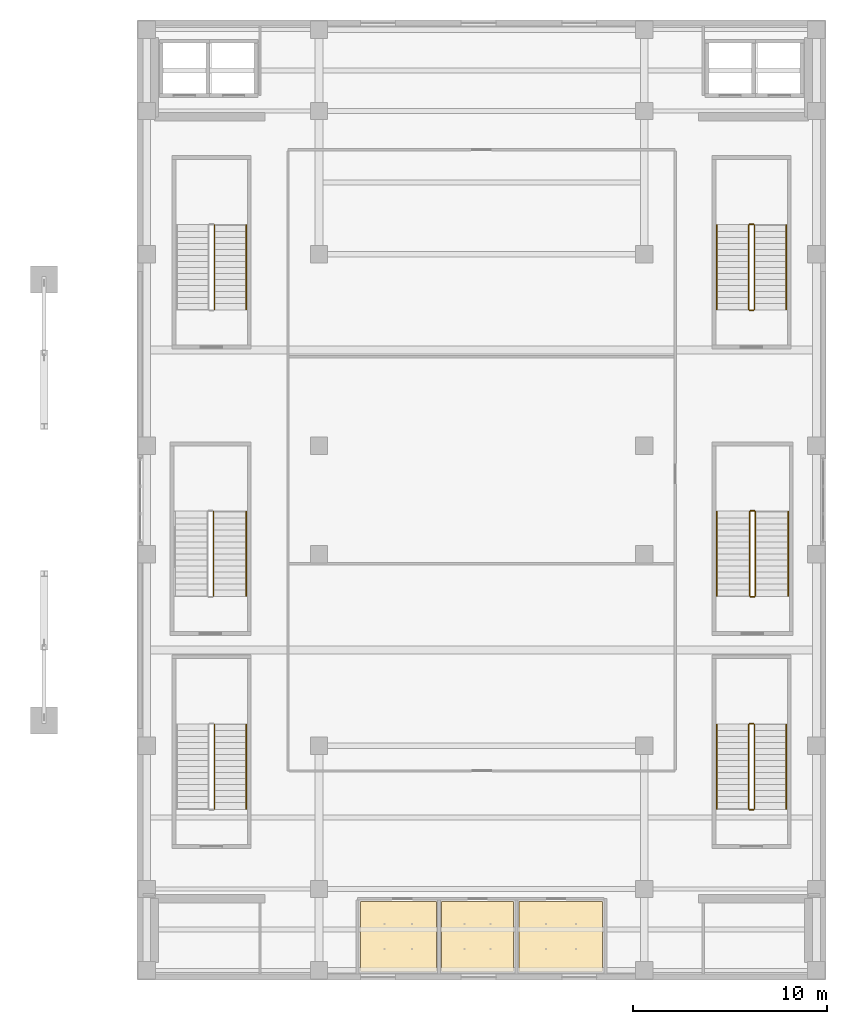
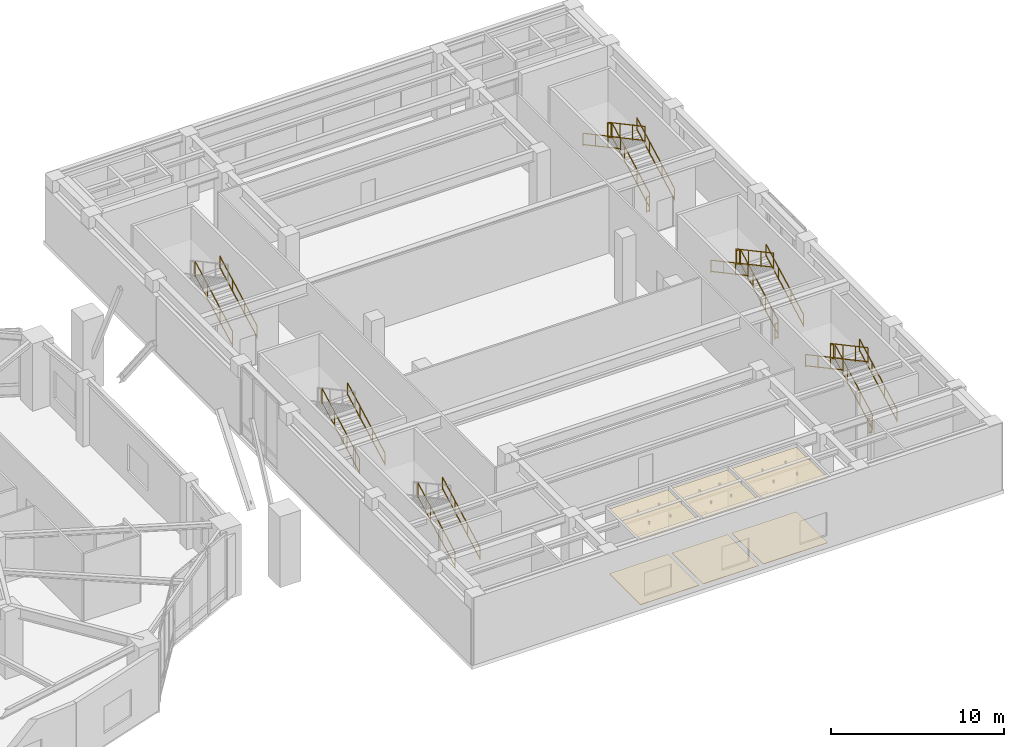
# One storey, part 24 of 24: 24 railings, 6 coverings.
"""IFC4 building model written with IfcOpenShell, lengths in metres."""

from ifc_helpers import new_model, si_unit, direction, frame, origin, origin_2d, place, context, subcontext, project, spatial, polyline, rectangle, outline, extrude, material, layer, layer_set, type_object, element, save


model = new_model("IFC4")

# Units and contexts
model_context = context("Model", 3, precision=1e-05, world=origin(), true_north=direction((0.0, 1.0)))
body_context = subcontext(model_context, "Body", "Model", "MODEL_VIEW")
ifc_project = project(units=[si_unit("LENGTHUNIT", "METRE"), si_unit("AREAUNIT", "SQUARE_METRE"), si_unit("VOLUMEUNIT", "CUBIC_METRE"), si_unit("PLANEANGLEUNIT", "RADIAN"), si_unit("MASSUNIT", "GRAM", prefix="KILO")], contexts=[model_context])

# Site, building, storey
site_placement = place(None, origin())
site = spatial("IfcSite", under=ifc_project, at=site_placement, CompositionType="ELEMENT")
building_placement = place(site_placement, origin())
building = spatial("IfcBuilding", under=site, at=building_placement, Name="Kolvaren Gate Tower and Convention Centre", CompositionType="ELEMENT")
storey_placement = place(building_placement, frame((0.0, 0.0, 10.0)))
storey = spatial("IfcBuildingStorey", under=building, at=storey_placement, Name="L02", CompositionType="ELEMENT", Elevation=10.0)

# Coverings
ifc_material_1 = material(Name="Perforated Mineral-Fibre Acoustic Ceiling Tile 18 mm", Category="gypsum")
ifc_layer_1 = layer(ifc_material_1, 0.01806640625)
ifc_layer_set_1 = layer_set([ifc_layer_1], Name="Perforated Mineral-Fibre Acoustic Ceiling Tile 18 mm")
covering_type_1 = type_object("IfcCoveringType", Name="ARCH-COV-CEIL-18", PredefinedType="CEILING", material=ifc_layer_set_1)
covering_1_placement = place(storey_placement, frame((0.0, 0.0, 4.580078125)))
element("IfcCovering", 1, at=covering_1_placement, inside=storey, type_object=covering_type_1, Name="Convention L02 Delegate Male Restroom Acoustic Suspended Ceiling", PredefinedType="CEILING", context=body_context, shape_type="SweptSolid", body=[
    extrude(outline(polyline([(73.739990234375, 6.260009765625), (77.659912109375, 6.260009765625), (77.659912109375, 2.639892578125), (73.739990234375, 2.639892578125), (73.739990234375, 6.260009765625)])), origin(), (0.0, 0.0, 1.0), 0.017822265625),
])
covering_2_placement = place(storey_placement, frame((0.0, 0.0, 4.580078125)))
element("IfcCovering", 2, at=covering_2_placement, inside=storey, type_object=covering_type_1, Name="Convention L02 Accessible Restroom Acoustic Suspended Ceiling", PredefinedType="CEILING", context=body_context, shape_type="SweptSolid", body=[
    extrude(outline(polyline([(77.93994140625, 6.260009765625), (81.659912109375, 6.260009765625), (81.659912109375, 2.639892578125), (77.93994140625, 2.639892578125), (77.93994140625, 6.260009765625)])), origin(), (0.0, 0.0, 1.0), 0.017822265625),
])
covering_3_placement = place(storey_placement, frame((0.0, 0.0, 4.580078125)))
element("IfcCovering", 3, at=covering_3_placement, inside=storey, type_object=covering_type_1, Name="Convention L02 Delegate Female Restroom Acoustic Suspended Ceiling", PredefinedType="CEILING", context=body_context, shape_type="SweptSolid", body=[
    extrude(outline(polyline([(81.93994140625, 6.260009765625), (86.260009765625, 6.260009765625), (86.260009765625, 2.639892578125), (81.93994140625, 2.639892578125), (81.93994140625, 6.260009765625)])), origin(), (0.0, 0.0, 1.0), 0.017822265625),
])
ifc_material_2 = material(Name="Honed Sabana Limestone Terrazzo Flooring 30 mm", Category="masonry")
ifc_layer_2 = layer(ifc_material_2, 0.030029296875)
ifc_layer_set_2 = layer_set([ifc_layer_2], Name="Honed Sabana Limestone Terrazzo Flooring 30 mm")
covering_type_2 = type_object("IfcCoveringType", Name="ARCH-COV-FLR-30", PredefinedType="FLOORING", material=ifc_layer_set_2)
covering_4_placement = place(storey_placement, origin())
element("IfcCovering", 4, at=covering_4_placement, inside=storey, type_object=covering_type_2, Name="Convention L02 Delegate Male Restroom Interior Finish Flooring", PredefinedType="FLOORING", context=body_context, shape_type="SweptSolid", body=[
    extrude(outline(polyline([(73.739990234375, 6.260009765625), (77.659912109375, 6.260009765625), (77.659912109375, 2.639892578125), (73.739990234375, 2.639892578125), (73.739990234375, 6.260009765625)])), origin(), (0.0, 0.0, 1.0), 0.030029296875),
])
covering_5_placement = place(storey_placement, origin())
element("IfcCovering", 5, at=covering_5_placement, inside=storey, type_object=covering_type_2, Name="Convention L02 Accessible Restroom Interior Finish Flooring", PredefinedType="FLOORING", context=body_context, shape_type="SweptSolid", body=[
    extrude(outline(polyline([(77.93994140625, 6.260009765625), (81.659912109375, 6.260009765625), (81.659912109375, 2.639892578125), (77.93994140625, 2.639892578125), (77.93994140625, 6.260009765625)])), origin(), (0.0, 0.0, 1.0), 0.030029296875),
])
covering_6_placement = place(storey_placement, origin())
element("IfcCovering", 6, at=covering_6_placement, inside=storey, type_object=covering_type_2, Name="Convention L02 Delegate Female Restroom Interior Finish Flooring", PredefinedType="FLOORING", context=body_context, shape_type="SweptSolid", body=[
    extrude(outline(polyline([(81.93994140625, 6.260009765625), (86.260009765625, 6.260009765625), (86.260009765625, 2.639892578125), (81.93994140625, 2.639892578125), (81.93994140625, 6.260009765625)])), origin(), (0.0, 0.0, 1.0), 0.030029296875),
])

# Railings
ifc_material_3 = material(Name="Brushed Stainless Steel Grade 316L", Category="steel")
railing_type_1 = type_object("IfcRailingType", Name="ARCH-RL-GUARD-1150", PredefinedType="GUARDRAIL", material=ifc_material_3)
for number, where, name in (
    (7, (66.199951171875, 36.85009765625, 0.166748046875), "L02 ST-C1 stair guard 1"),
    (8, (66.199951171875, 11.050048828125, 0.166748046875), "L02 ST-C2 stair guard 1"),
    (9, (94.10009765625, 36.85009765625, 0.166748046875), "L02 ST-C3 stair guard 1"),
):
    element("IfcRailing", number, at=place(storey_placement, frame(where)), inside=storey, type_object=railing_type_1, Name=name, PredefinedType="GUARDRAIL", context=body_context, shape_type="SweptSolid", body=[
        extrude(rectangle(XDim=0.048095703125, YDim=0.048095703125, at=origin_2d()), frame((0.0, 0.0, 1.076171875), z_axis=(0.0, 0.8807748016, 0.47353537235), x_axis=(-1.0, 0.0, 0.0)), (0.0, 0.0, 1.0), 4.92724609375),
        extrude(rectangle(XDim=0.048095703125, YDim=0.048095703125, at=origin_2d()), frame((0.0, 0.0, 0.083984375), z_axis=(0.0, 0.8807748016, 0.47353537235), x_axis=(-1.0, 0.0, 0.0)), (0.0, 0.0, 1.0), 4.92724609375),
        extrude(rectangle(XDim=0.0419921875, YDim=0.0419921875, at=origin_2d()), origin(), (0.0, 0.0, 1.0), 1.050048828125),
        extrude(rectangle(XDim=0.0419921875, YDim=0.0419921875, at=origin_2d()), frame((0.0, 4.33984375, 2.333251953125)), (0.0, 0.0, 1.0), 1.050048828125),
        extrude(rectangle(XDim=0.0419921875, YDim=0.0419921875, at=origin_2d()), frame((0.0, 1.446533203125, 0.77783203125)), (0.0, 0.0, 1.0), 1.050048828125),
        extrude(rectangle(XDim=0.0419921875, YDim=0.0419921875, at=origin_2d()), frame((0.0, 2.893310546875, 1.555419921875)), (0.0, 0.0, 1.0), 1.050048828125),
    ])
railing_1_placement = place(storey_placement, frame((94.050048828125, 41.239990234375, 2.5)))
element("IfcRailing", 10, at=railing_1_placement, inside=storey, type_object=railing_type_1, Name="L02 ST-C3 stair guard 2", PredefinedType="GUARDRAIL", context=body_context, shape_type="SweptSolid", body=[
    extrude(rectangle(XDim=0.048095703125, YDim=0.048095703125, at=origin_2d()), frame((0.0, 0.0, 1.076171875), z_axis=(-1.0, 0.0, 0.0), x_axis=(0.0, -1.0, 0.0)), (0.0, 0.0, 1.0), 0.199951171875),
    extrude(rectangle(XDim=0.048095703125, YDim=0.048095703125, at=origin_2d()), frame((0.0, 0.0, 0.083984375), z_axis=(-1.0, 0.0, 0.0), x_axis=(0.0, -1.0, 0.0)), (0.0, 0.0, 1.0), 0.199951171875),
    extrude(rectangle(XDim=0.0419921875, YDim=0.0419921875, at=origin_2d()), origin(), (0.0, 0.0, 1.0), 1.050048828125),
    extrude(rectangle(XDim=0.0419921875, YDim=0.0419921875, at=origin_2d()), frame((-0.199951171875, 0.0, 0.0)), (0.0, 0.0, 1.0), 1.050048828125),
])
railing_2_placement = place(storey_placement, frame((93.800048828125, 41.18994140625, 2.666748046875)))
element("IfcRailing", 11, at=railing_2_placement, inside=storey, type_object=railing_type_1, Name="L02 ST-C3 stair guard 3", PredefinedType="GUARDRAIL", context=body_context, shape_type="SweptSolid", body=[
    extrude(rectangle(XDim=0.048095703125, YDim=0.048095703125, at=origin_2d()), frame((0.0, 0.0, 1.076171875), z_axis=(0.0, -0.8807748016, 0.47353537235), x_axis=(1.0, 0.0, 0.0)), (0.0, 0.0, 1.0), 4.92724609375),
    extrude(rectangle(XDim=0.048095703125, YDim=0.048095703125, at=origin_2d()), frame((0.0, 0.0, 0.083984375), z_axis=(0.0, -0.8807748016, 0.47353537235), x_axis=(1.0, 0.0, 0.0)), (0.0, 0.0, 1.0), 4.92724609375),
    extrude(rectangle(XDim=0.0419921875, YDim=0.0419921875, at=origin_2d()), origin(), (0.0, 0.0, 1.0), 1.050048828125),
    extrude(rectangle(XDim=0.0419921875, YDim=0.0419921875, at=origin_2d()), frame((0.0, -4.33984375, 2.333251953125)), (0.0, 0.0, 1.0), 1.050048828125),
    extrude(rectangle(XDim=0.0419921875, YDim=0.0419921875, at=origin_2d()), frame((0.0, -1.446533203125, 0.77783203125)), (0.0, 0.0, 1.0), 1.050048828125),
    extrude(rectangle(XDim=0.0419921875, YDim=0.0419921875, at=origin_2d()), frame((0.0, -2.893310546875, 1.555419921875)), (0.0, 0.0, 1.0), 1.050048828125),
])
railing_3_placement = place(storey_placement, frame((94.050048828125, 36.800048828125, 0.0)))
element("IfcRailing", 12, at=railing_3_placement, inside=storey, type_object=railing_type_1, Name="L02 ST-C3 stair guard 4", PredefinedType="GUARDRAIL", context=body_context, shape_type="SweptSolid", body=[
    extrude(rectangle(XDim=0.048095703125, YDim=0.048095703125, at=origin_2d()), frame((0.0, 0.0, 1.076171875), z_axis=(-1.0, 0.0, 0.0), x_axis=(0.0, -1.0, 0.0)), (0.0, 0.0, 1.0), 0.199951171875),
    extrude(rectangle(XDim=0.048095703125, YDim=0.048095703125, at=origin_2d()), frame((0.0, 0.0, 0.083984375), z_axis=(-1.0, 0.0, 0.0), x_axis=(0.0, -1.0, 0.0)), (0.0, 0.0, 1.0), 0.199951171875),
    extrude(rectangle(XDim=0.0419921875, YDim=0.0419921875, at=origin_2d()), origin(), (0.0, 0.0, 1.0), 1.050048828125),
    extrude(rectangle(XDim=0.0419921875, YDim=0.0419921875, at=origin_2d()), frame((-0.199951171875, 0.0, 0.0)), (0.0, 0.0, 1.0), 1.050048828125),
])
railing_4_placement = place(storey_placement, frame((94.10009765625, 11.050048828125, 0.166748046875)))
element("IfcRailing", 13, at=railing_4_placement, inside=storey, type_object=railing_type_1, Name="L02 ST-C4 stair guard 1", PredefinedType="GUARDRAIL", context=body_context, shape_type="SweptSolid", body=[
    extrude(rectangle(XDim=0.048095703125, YDim=0.048095703125, at=origin_2d()), frame((0.0, 0.0, 1.076171875), z_axis=(0.0, 0.8807748016, 0.47353537235), x_axis=(-1.0, 0.0, 0.0)), (0.0, 0.0, 1.0), 4.92724609375),
    extrude(rectangle(XDim=0.048095703125, YDim=0.048095703125, at=origin_2d()), frame((0.0, 0.0, 0.083984375), z_axis=(0.0, 0.8807748016, 0.47353537235), x_axis=(-1.0, 0.0, 0.0)), (0.0, 0.0, 1.0), 4.92724609375),
    extrude(rectangle(XDim=0.0419921875, YDim=0.0419921875, at=origin_2d()), origin(), (0.0, 0.0, 1.0), 1.050048828125),
    extrude(rectangle(XDim=0.0419921875, YDim=0.0419921875, at=origin_2d()), frame((0.0, 4.33984375, 2.333251953125)), (0.0, 0.0, 1.0), 1.050048828125),
    extrude(rectangle(XDim=0.0419921875, YDim=0.0419921875, at=origin_2d()), frame((0.0, 1.446533203125, 0.77783203125)), (0.0, 0.0, 1.0), 1.050048828125),
    extrude(rectangle(XDim=0.0419921875, YDim=0.0419921875, at=origin_2d()), frame((0.0, 2.893310546875, 1.555419921875)), (0.0, 0.0, 1.0), 1.050048828125),
])
railing_5_placement = place(storey_placement, frame((94.050048828125, 15.43994140625, 2.5)))
element("IfcRailing", 14, at=railing_5_placement, inside=storey, type_object=railing_type_1, Name="L02 ST-C4 stair guard 2", PredefinedType="GUARDRAIL", context=body_context, shape_type="SweptSolid", body=[
    extrude(rectangle(XDim=0.048095703125, YDim=0.048095703125, at=origin_2d()), frame((0.0, 0.0, 1.076171875), z_axis=(-1.0, 0.0, 0.0), x_axis=(0.0, -1.0, 0.0)), (0.0, 0.0, 1.0), 0.199951171875),
    extrude(rectangle(XDim=0.048095703125, YDim=0.048095703125, at=origin_2d()), frame((0.0, 0.0, 0.083984375), z_axis=(-1.0, 0.0, 0.0), x_axis=(0.0, -1.0, 0.0)), (0.0, 0.0, 1.0), 0.199951171875),
    extrude(rectangle(XDim=0.0419921875, YDim=0.0419921875, at=origin_2d()), origin(), (0.0, 0.0, 1.0), 1.050048828125),
    extrude(rectangle(XDim=0.0419921875, YDim=0.0419921875, at=origin_2d()), frame((-0.199951171875, 0.0, 0.0)), (0.0, 0.0, 1.0), 1.050048828125),
])
railing_6_placement = place(storey_placement, frame((93.800048828125, 15.389892578125, 2.666748046875)))
element("IfcRailing", 15, at=railing_6_placement, inside=storey, type_object=railing_type_1, Name="L02 ST-C4 stair guard 3", PredefinedType="GUARDRAIL", context=body_context, shape_type="SweptSolid", body=[
    extrude(rectangle(XDim=0.048095703125, YDim=0.048095703125, at=origin_2d()), frame((0.0, 0.0, 1.076171875), z_axis=(0.0, -0.8807748016, 0.47353537235), x_axis=(1.0, 0.0, 0.0)), (0.0, 0.0, 1.0), 4.92724609375),
    extrude(rectangle(XDim=0.048095703125, YDim=0.048095703125, at=origin_2d()), frame((0.0, 0.0, 0.083984375), z_axis=(0.0, -0.8807748016, 0.47353537235), x_axis=(1.0, 0.0, 0.0)), (0.0, 0.0, 1.0), 4.92724609375),
    extrude(rectangle(XDim=0.0419921875, YDim=0.0419921875, at=origin_2d()), origin(), (0.0, 0.0, 1.0), 1.050048828125),
    extrude(rectangle(XDim=0.0419921875, YDim=0.0419921875, at=origin_2d()), frame((0.0, -4.33984375, 2.333251953125)), (0.0, 0.0, 1.0), 1.050048828125),
    extrude(rectangle(XDim=0.0419921875, YDim=0.0419921875, at=origin_2d()), frame((0.0, -1.446533203125, 0.77783203125)), (0.0, 0.0, 1.0), 1.050048828125),
    extrude(rectangle(XDim=0.0419921875, YDim=0.0419921875, at=origin_2d()), frame((0.0, -2.893310546875, 1.555419921875)), (0.0, 0.0, 1.0), 1.050048828125),
])
railing_7_placement = place(storey_placement, frame((94.050048828125, 11.0, 0.0)))
element("IfcRailing", 16, at=railing_7_placement, inside=storey, type_object=railing_type_1, Name="L02 ST-C4 stair guard 4", PredefinedType="GUARDRAIL", context=body_context, shape_type="SweptSolid", body=[
    extrude(rectangle(XDim=0.048095703125, YDim=0.048095703125, at=origin_2d()), frame((0.0, 0.0, 1.076171875), z_axis=(-1.0, 0.0, 0.0), x_axis=(0.0, -1.0, 0.0)), (0.0, 0.0, 1.0), 0.199951171875),
    extrude(rectangle(XDim=0.048095703125, YDim=0.048095703125, at=origin_2d()), frame((0.0, 0.0, 0.083984375), z_axis=(-1.0, 0.0, 0.0), x_axis=(0.0, -1.0, 0.0)), (0.0, 0.0, 1.0), 0.199951171875),
    extrude(rectangle(XDim=0.0419921875, YDim=0.0419921875, at=origin_2d()), origin(), (0.0, 0.0, 1.0), 1.050048828125),
    extrude(rectangle(XDim=0.0419921875, YDim=0.0419921875, at=origin_2d()), frame((-0.199951171875, 0.0, 0.0)), (0.0, 0.0, 1.0), 1.050048828125),
])
for number, where, name in (
    (17, (66.14990234375, 22.050048828125, 0.166748046875), "L02 ST-C5 stair guard 1"),
    (18, (94.14990234375, 22.050048828125, 0.166748046875), "L02 ST-C6 stair guard 1"),
):
    element("IfcRailing", number, at=place(storey_placement, frame(where)), inside=storey, type_object=railing_type_1, Name=name, PredefinedType="GUARDRAIL", context=body_context, shape_type="SweptSolid", body=[
        extrude(rectangle(XDim=0.048095703125, YDim=0.048095703125, at=origin_2d()), frame((0.0, 0.0, 1.076171875), z_axis=(0.0, 0.8807748016, 0.47353537235), x_axis=(-1.0, 0.0, 0.0)), (0.0, 0.0, 1.0), 4.92724609375),
        extrude(rectangle(XDim=0.048095703125, YDim=0.048095703125, at=origin_2d()), frame((0.0, 0.0, 0.083984375), z_axis=(0.0, 0.8807748016, 0.47353537235), x_axis=(-1.0, 0.0, 0.0)), (0.0, 0.0, 1.0), 4.92724609375),
        extrude(rectangle(XDim=0.0419921875, YDim=0.0419921875, at=origin_2d()), origin(), (0.0, 0.0, 1.0), 1.050048828125),
        extrude(rectangle(XDim=0.0419921875, YDim=0.0419921875, at=origin_2d()), frame((0.0, 4.33984375, 2.333251953125)), (0.0, 0.0, 1.0), 1.050048828125),
        extrude(rectangle(XDim=0.0419921875, YDim=0.0419921875, at=origin_2d()), frame((0.0, 1.446533203125, 0.77783203125)), (0.0, 0.0, 1.0), 1.050048828125),
        extrude(rectangle(XDim=0.0419921875, YDim=0.0419921875, at=origin_2d()), frame((0.0, 2.893310546875, 1.555419921875)), (0.0, 0.0, 1.0), 1.050048828125),
    ])
railing_8_placement = place(storey_placement, frame((94.10009765625, 26.43994140625, 2.5)))
element("IfcRailing", 19, at=railing_8_placement, inside=storey, type_object=railing_type_1, Name="L02 ST-C6 stair guard 2", PredefinedType="GUARDRAIL", context=body_context, shape_type="SweptSolid", body=[
    extrude(rectangle(XDim=0.048095703125, YDim=0.048095703125, at=origin_2d()), frame((0.0, 0.0, 1.076171875), z_axis=(-1.0, 0.0, 0.0), x_axis=(0.0, -1.0, 0.0)), (0.0, 0.0, 1.0), 0.2001953125),
    extrude(rectangle(XDim=0.048095703125, YDim=0.048095703125, at=origin_2d()), frame((0.0, 0.0, 0.083984375), z_axis=(-1.0, 0.0, 0.0), x_axis=(0.0, -1.0, 0.0)), (0.0, 0.0, 1.0), 0.2001953125),
    extrude(rectangle(XDim=0.0419921875, YDim=0.0419921875, at=origin_2d()), origin(), (0.0, 0.0, 1.0), 1.050048828125),
    extrude(rectangle(XDim=0.0419921875, YDim=0.0419921875, at=origin_2d()), frame((-0.2001953125, 0.0, 0.0)), (0.0, 0.0, 1.0), 1.050048828125),
])
railing_9_placement = place(storey_placement, frame((93.85009765625, 26.389892578125, 2.666748046875)))
element("IfcRailing", 20, at=railing_9_placement, inside=storey, type_object=railing_type_1, Name="L02 ST-C6 stair guard 3", PredefinedType="GUARDRAIL", context=body_context, shape_type="SweptSolid", body=[
    extrude(rectangle(XDim=0.048095703125, YDim=0.048095703125, at=origin_2d()), frame((0.0, 0.0, 1.076171875), z_axis=(0.0, -0.8807748016, 0.47353537235), x_axis=(1.0, 0.0, 0.0)), (0.0, 0.0, 1.0), 4.92724609375),
    extrude(rectangle(XDim=0.048095703125, YDim=0.048095703125, at=origin_2d()), frame((0.0, 0.0, 0.083984375), z_axis=(0.0, -0.8807748016, 0.47353537235), x_axis=(1.0, 0.0, 0.0)), (0.0, 0.0, 1.0), 4.92724609375),
    extrude(rectangle(XDim=0.0419921875, YDim=0.0419921875, at=origin_2d()), origin(), (0.0, 0.0, 1.0), 1.050048828125),
    extrude(rectangle(XDim=0.0419921875, YDim=0.0419921875, at=origin_2d()), frame((0.0, -4.33984375, 2.333251953125)), (0.0, 0.0, 1.0), 1.050048828125),
    extrude(rectangle(XDim=0.0419921875, YDim=0.0419921875, at=origin_2d()), frame((0.0, -1.446533203125, 0.77783203125)), (0.0, 0.0, 1.0), 1.050048828125),
    extrude(rectangle(XDim=0.0419921875, YDim=0.0419921875, at=origin_2d()), frame((0.0, -2.893310546875, 1.555419921875)), (0.0, 0.0, 1.0), 1.050048828125),
])
railing_10_placement = place(storey_placement, frame((94.10009765625, 22.0, 0.0)))
element("IfcRailing", 21, at=railing_10_placement, inside=storey, type_object=railing_type_1, Name="L02 ST-C6 stair guard 4", PredefinedType="GUARDRAIL", context=body_context, shape_type="SweptSolid", body=[
    extrude(rectangle(XDim=0.048095703125, YDim=0.048095703125, at=origin_2d()), frame((0.0, 0.0, 1.076171875), z_axis=(-1.0, 0.0, 0.0), x_axis=(0.0, -1.0, 0.0)), (0.0, 0.0, 1.0), 0.2001953125),
    extrude(rectangle(XDim=0.048095703125, YDim=0.048095703125, at=origin_2d()), frame((0.0, 0.0, 0.083984375), z_axis=(-1.0, 0.0, 0.0), x_axis=(0.0, -1.0, 0.0)), (0.0, 0.0, 1.0), 0.2001953125),
    extrude(rectangle(XDim=0.0419921875, YDim=0.0419921875, at=origin_2d()), origin(), (0.0, 0.0, 1.0), 1.050048828125),
    extrude(rectangle(XDim=0.0419921875, YDim=0.0419921875, at=origin_2d()), frame((-0.2001953125, 0.0, 0.0)), (0.0, 0.0, 1.0), 1.050048828125),
])
railing_type_2 = type_object("IfcRailingType", Name="ARCH-RL-HANDRAIL-920", PredefinedType="HANDRAIL", material=ifc_material_3)
for number, where, name in (
    (22, (67.85009765625, 36.85009765625, 0.166748046875), "L02 ST-C1 stair handrail 1"),
    (23, (67.85009765625, 11.050048828125, 0.166748046875), "L02 ST-C2 stair handrail 1"),
    (24, (95.75, 36.85009765625, 0.166748046875), "L02 ST-C3 stair handrail 1"),
):
    element("IfcRailing", number, at=place(storey_placement, frame(where)), inside=storey, type_object=railing_type_2, Name=name, PredefinedType="HANDRAIL", context=body_context, shape_type="SweptSolid", body=[
        extrude(rectangle(XDim=0.048095703125, YDim=0.048095703125, at=origin_2d()), frame((0.0, 0.0, 0.8759765625), z_axis=(0.0, 0.8807748016, 0.47353537235), x_axis=(-1.0, 0.0, 0.0)), (0.0, 0.0, 1.0), 4.92724609375),
        extrude(rectangle(XDim=0.048095703125, YDim=0.048095703125, at=origin_2d()), frame((0.0, 0.0, 0.083984375), z_axis=(0.0, 0.8807748016, 0.47353537235), x_axis=(-1.0, 0.0, 0.0)), (0.0, 0.0, 1.0), 4.92724609375),
        extrude(rectangle(XDim=0.0419921875, YDim=0.0419921875, at=origin_2d()), origin(), (0.0, 0.0, 1.0), 0.849853515625),
        extrude(rectangle(XDim=0.0419921875, YDim=0.0419921875, at=origin_2d()), frame((0.0, 4.33984375, 2.333251953125)), (0.0, 0.0, 1.0), 0.849853515625),
        extrude(rectangle(XDim=0.0419921875, YDim=0.0419921875, at=origin_2d()), frame((0.0, 1.446533203125, 0.77783203125)), (0.0, 0.0, 1.0), 0.849853515625),
        extrude(rectangle(XDim=0.0419921875, YDim=0.0419921875, at=origin_2d()), frame((0.0, 2.893310546875, 1.555419921875)), (0.0, 0.0, 1.0), 0.849853515625),
    ])
railing_11_placement = place(storey_placement, frame((92.14990234375, 41.18994140625, 2.666748046875)))
element("IfcRailing", 25, at=railing_11_placement, inside=storey, type_object=railing_type_2, Name="L02 ST-C3 stair handrail 2", PredefinedType="HANDRAIL", context=body_context, shape_type="SweptSolid", body=[
    extrude(rectangle(XDim=0.048095703125, YDim=0.048095703125, at=origin_2d()), frame((0.0, 0.0, 0.8759765625), z_axis=(0.0, -0.8807748016, 0.47353537235), x_axis=(1.0, 0.0, 0.0)), (0.0, 0.0, 1.0), 4.92724609375),
    extrude(rectangle(XDim=0.048095703125, YDim=0.048095703125, at=origin_2d()), frame((0.0, 0.0, 0.083984375), z_axis=(0.0, -0.8807748016, 0.47353537235), x_axis=(1.0, 0.0, 0.0)), (0.0, 0.0, 1.0), 4.92724609375),
    extrude(rectangle(XDim=0.0419921875, YDim=0.0419921875, at=origin_2d()), origin(), (0.0, 0.0, 1.0), 0.849853515625),
    extrude(rectangle(XDim=0.0419921875, YDim=0.0419921875, at=origin_2d()), frame((0.0, -4.33984375, 2.333251953125)), (0.0, 0.0, 1.0), 0.849853515625),
    extrude(rectangle(XDim=0.0419921875, YDim=0.0419921875, at=origin_2d()), frame((0.0, -1.446533203125, 0.77783203125)), (0.0, 0.0, 1.0), 0.849853515625),
    extrude(rectangle(XDim=0.0419921875, YDim=0.0419921875, at=origin_2d()), frame((0.0, -2.893310546875, 1.555419921875)), (0.0, 0.0, 1.0), 0.849853515625),
])
railing_12_placement = place(storey_placement, frame((95.75, 11.050048828125, 0.166748046875)))
element("IfcRailing", 26, at=railing_12_placement, inside=storey, type_object=railing_type_2, Name="L02 ST-C4 stair handrail 1", PredefinedType="HANDRAIL", context=body_context, shape_type="SweptSolid", body=[
    extrude(rectangle(XDim=0.048095703125, YDim=0.048095703125, at=origin_2d()), frame((0.0, 0.0, 0.8759765625), z_axis=(0.0, 0.8807748016, 0.47353537235), x_axis=(-1.0, 0.0, 0.0)), (0.0, 0.0, 1.0), 4.92724609375),
    extrude(rectangle(XDim=0.048095703125, YDim=0.048095703125, at=origin_2d()), frame((0.0, 0.0, 0.083984375), z_axis=(0.0, 0.8807748016, 0.47353537235), x_axis=(-1.0, 0.0, 0.0)), (0.0, 0.0, 1.0), 4.92724609375),
    extrude(rectangle(XDim=0.0419921875, YDim=0.0419921875, at=origin_2d()), origin(), (0.0, 0.0, 1.0), 0.849853515625),
    extrude(rectangle(XDim=0.0419921875, YDim=0.0419921875, at=origin_2d()), frame((0.0, 4.33984375, 2.333251953125)), (0.0, 0.0, 1.0), 0.849853515625),
    extrude(rectangle(XDim=0.0419921875, YDim=0.0419921875, at=origin_2d()), frame((0.0, 1.446533203125, 0.77783203125)), (0.0, 0.0, 1.0), 0.849853515625),
    extrude(rectangle(XDim=0.0419921875, YDim=0.0419921875, at=origin_2d()), frame((0.0, 2.893310546875, 1.555419921875)), (0.0, 0.0, 1.0), 0.849853515625),
])
railing_13_placement = place(storey_placement, frame((92.14990234375, 15.389892578125, 2.666748046875)))
element("IfcRailing", 27, at=railing_13_placement, inside=storey, type_object=railing_type_2, Name="L02 ST-C4 stair handrail 2", PredefinedType="HANDRAIL", context=body_context, shape_type="SweptSolid", body=[
    extrude(rectangle(XDim=0.048095703125, YDim=0.048095703125, at=origin_2d()), frame((0.0, 0.0, 0.8759765625), z_axis=(0.0, -0.8807748016, 0.47353537235), x_axis=(1.0, 0.0, 0.0)), (0.0, 0.0, 1.0), 4.92724609375),
    extrude(rectangle(XDim=0.048095703125, YDim=0.048095703125, at=origin_2d()), frame((0.0, 0.0, 0.083984375), z_axis=(0.0, -0.8807748016, 0.47353537235), x_axis=(1.0, 0.0, 0.0)), (0.0, 0.0, 1.0), 4.92724609375),
    extrude(rectangle(XDim=0.0419921875, YDim=0.0419921875, at=origin_2d()), origin(), (0.0, 0.0, 1.0), 0.849853515625),
    extrude(rectangle(XDim=0.0419921875, YDim=0.0419921875, at=origin_2d()), frame((0.0, -4.33984375, 2.333251953125)), (0.0, 0.0, 1.0), 0.849853515625),
    extrude(rectangle(XDim=0.0419921875, YDim=0.0419921875, at=origin_2d()), frame((0.0, -1.446533203125, 0.77783203125)), (0.0, 0.0, 1.0), 0.849853515625),
    extrude(rectangle(XDim=0.0419921875, YDim=0.0419921875, at=origin_2d()), frame((0.0, -2.893310546875, 1.555419921875)), (0.0, 0.0, 1.0), 0.849853515625),
])
for number, where, name in (
    (28, (67.85009765625, 22.050048828125, 0.166748046875), "L02 ST-C5 stair handrail 1"),
    (29, (95.85009765625, 22.050048828125, 0.166748046875), "L02 ST-C6 stair handrail 1"),
):
    element("IfcRailing", number, at=place(storey_placement, frame(where)), inside=storey, type_object=railing_type_2, Name=name, PredefinedType="HANDRAIL", context=body_context, shape_type="SweptSolid", body=[
        extrude(rectangle(XDim=0.048095703125, YDim=0.048095703125, at=origin_2d()), frame((0.0, 0.0, 0.8759765625), z_axis=(0.0, 0.8807748016, 0.47353537235), x_axis=(-1.0, 0.0, 0.0)), (0.0, 0.0, 1.0), 4.92724609375),
        extrude(rectangle(XDim=0.048095703125, YDim=0.048095703125, at=origin_2d()), frame((0.0, 0.0, 0.083984375), z_axis=(0.0, 0.8807748016, 0.47353537235), x_axis=(-1.0, 0.0, 0.0)), (0.0, 0.0, 1.0), 4.92724609375),
        extrude(rectangle(XDim=0.0419921875, YDim=0.0419921875, at=origin_2d()), origin(), (0.0, 0.0, 1.0), 0.849853515625),
        extrude(rectangle(XDim=0.0419921875, YDim=0.0419921875, at=origin_2d()), frame((0.0, 4.33984375, 2.333251953125)), (0.0, 0.0, 1.0), 0.849853515625),
        extrude(rectangle(XDim=0.0419921875, YDim=0.0419921875, at=origin_2d()), frame((0.0, 1.446533203125, 0.77783203125)), (0.0, 0.0, 1.0), 0.849853515625),
        extrude(rectangle(XDim=0.0419921875, YDim=0.0419921875, at=origin_2d()), frame((0.0, 2.893310546875, 1.555419921875)), (0.0, 0.0, 1.0), 0.849853515625),
    ])
railing_14_placement = place(storey_placement, frame((92.14990234375, 26.389892578125, 2.666748046875)))
element("IfcRailing", 30, at=railing_14_placement, inside=storey, type_object=railing_type_2, Name="L02 ST-C6 stair handrail 2", PredefinedType="HANDRAIL", context=body_context, shape_type="SweptSolid", body=[
    extrude(rectangle(XDim=0.048095703125, YDim=0.048095703125, at=origin_2d()), frame((0.0, 0.0, 0.8759765625), z_axis=(0.0, -0.8807748016, 0.47353537235), x_axis=(1.0, 0.0, 0.0)), (0.0, 0.0, 1.0), 4.92724609375),
    extrude(rectangle(XDim=0.048095703125, YDim=0.048095703125, at=origin_2d()), frame((0.0, 0.0, 0.083984375), z_axis=(0.0, -0.8807748016, 0.47353537235), x_axis=(1.0, 0.0, 0.0)), (0.0, 0.0, 1.0), 4.92724609375),
    extrude(rectangle(XDim=0.0419921875, YDim=0.0419921875, at=origin_2d()), origin(), (0.0, 0.0, 1.0), 0.849853515625),
    extrude(rectangle(XDim=0.0419921875, YDim=0.0419921875, at=origin_2d()), frame((0.0, -4.33984375, 2.333251953125)), (0.0, 0.0, 1.0), 0.849853515625),
    extrude(rectangle(XDim=0.0419921875, YDim=0.0419921875, at=origin_2d()), frame((0.0, -1.446533203125, 0.77783203125)), (0.0, 0.0, 1.0), 0.849853515625),
    extrude(rectangle(XDim=0.0419921875, YDim=0.0419921875, at=origin_2d()), frame((0.0, -2.893310546875, 1.555419921875)), (0.0, 0.0, 1.0), 0.849853515625),
])

save(model, "model.ifc")
